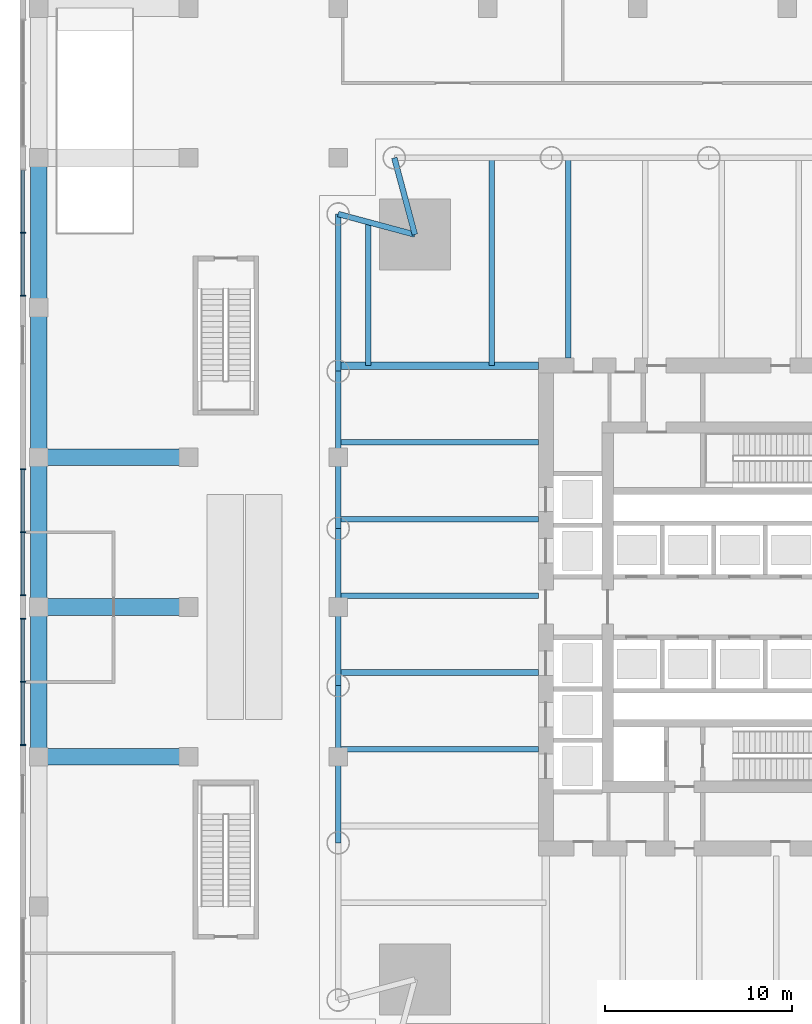
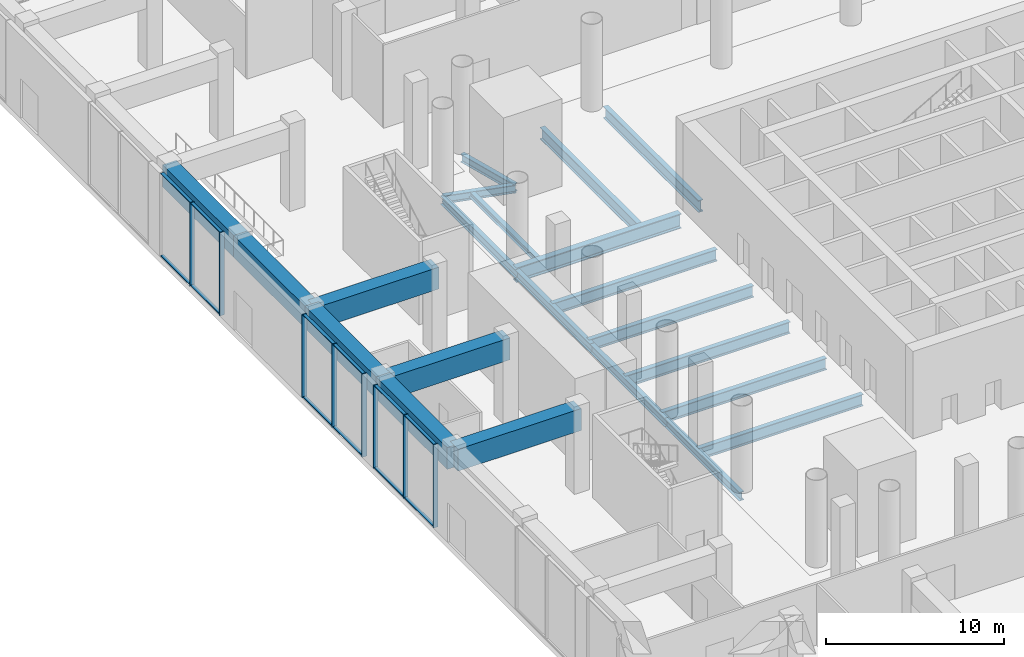
# One storey, part 7 of 39: 22 beams, 20 members, 3 elements without a shape of their own.
"""IFC4 building model written with IfcOpenShell, lengths in metres."""

from ifc_helpers import new_model, si_unit, direction, frame, origin, origin_2d, place, context, subcontext, project, spatial, rectangle, i_section, extrude, material, material_profile, profile_set, type_object, element, aggregate, save


model = new_model("IFC4")

# Units and contexts
model_context = context("Model", 3, precision=1e-05, world=origin(), true_north=direction((0.0, 1.0)))
body_context = subcontext(model_context, "Body", "Model", "MODEL_VIEW")
ifc_project = project(units=[si_unit("LENGTHUNIT", "METRE"), si_unit("AREAUNIT", "SQUARE_METRE"), si_unit("VOLUMEUNIT", "CUBIC_METRE"), si_unit("PLANEANGLEUNIT", "RADIAN"), si_unit("MASSUNIT", "GRAM", prefix="KILO")], contexts=[model_context])

# Site, building, storey
site_placement = place(None, origin())
site = spatial("IfcSite", under=ifc_project, at=site_placement, CompositionType="ELEMENT")
building_placement = place(site_placement, origin())
building = spatial("IfcBuilding", under=site, at=building_placement, Name="Ostroluk Exchange", CompositionType="ELEMENT")
storey_placement = place(building_placement, origin())
storey = spatial("IfcBuildingStorey", under=building, at=storey_placement, Name="L00", CompositionType="ELEMENT", Elevation=0.0)

# Beams
ifc_material_1 = material(Name="Steel S355", Category="steel")
ifc_material_profile_1 = material_profile(ifc_material_1, i_section(OverallWidth=0.300048828125, OverallDepth=0.550048828125, WebThickness=0.014892578125, FlangeThickness=0.029052734375, FilletRadius=0.027099609375, at=origin_2d()), Name="HEB 550")
ifc_profile_set_1 = profile_set([ifc_material_profile_1], Name="Steel S355")
beam_type_1 = type_object("IfcBeamType", Name="Corner edge beam HEB 550", PredefinedType="SPANDREL", material=ifc_profile_set_1)
for number, where, z_axis, x_axis, name in (
    (1, (25.10009765625, 65.89990234375, -0.574951171875), (-0.259144268261, 0.965838624319, 0.0), (-0.965838624319, -0.259144268261, 0.0), "T1 north corner edge beam a"),
    (2, (25.10009765625, 65.89990234375, -0.574951171875), (-0.965838624319, 0.259144268261, 0.0), (-0.259144268261, -0.965838624319, 0.0), "T1 north corner edge beam b"),
):
    element("IfcBeam", number, at=place(storey_placement, frame(where, z_axis=z_axis, x_axis=x_axis)), inside=storey, type_object=beam_type_1, Name=name, PredefinedType="SPANDREL", context=body_context, shape_type="SweptSolid", body=[
        extrude(i_section(OverallWidth=0.300048828125, OverallDepth=0.550048828125, WebThickness=0.014892578125, FlangeThickness=0.029052734375, FilletRadius=0.027099609375, at=origin_2d()), origin(), (0.0, 0.0, 1.0), 4.2451171875),
    ])
ifc_material_2 = material(Name="Steel S355", Category="steel")
ifc_material_profile_2 = material_profile(ifc_material_2, i_section(OverallWidth=0.300048828125, OverallDepth=0.39990234375, WebThickness=0.013427734375, FlangeThickness=0.02392578125, FilletRadius=0.027099609375, at=origin_2d()), Name="HEB 400")
ifc_profile_set_2 = profile_set([ifc_material_profile_2], Name="Steel S355")
beam_type_2 = type_object("IfcBeamType", Name="Floor beam HEB 400", PredefinedType="BEAM", material=ifc_profile_set_2)
beam_1_placement = place(storey_placement, frame((22.60009765625, 58.89990234375, -0.5), z_axis=(0.0, 1.0, 0.0), x_axis=(-1.0, 0.0, 0.0)))
element("IfcBeam", 3, at=beam_1_placement, inside=storey, type_object=beam_type_2, Name="T1 north floor beam 8", PredefinedType="BEAM", context=body_context, shape_type="SweptSolid", body=[
    extrude(i_section(OverallWidth=0.300048828125, OverallDepth=0.39990234375, WebThickness=0.013427734375, FlangeThickness=0.02392578125, FilletRadius=0.027099609375, at=origin_2d()), origin(), (0.0, 0.0, 1.0), 7.6708984375),
])
ifc_material_3 = material(Name="Steel S355", Category="steel")
ifc_material_profile_3 = material_profile(ifc_material_3, i_section(OverallWidth=0.300048828125, OverallDepth=0.800048828125, WebThickness=0.017578125, FlangeThickness=0.032958984375, FilletRadius=0.030029296875, at=origin_2d()), Name="HEB 800")
ifc_profile_set_3 = profile_set([ifc_material_profile_3], Name="Steel S355")
beam_type_3 = type_object("IfcBeamType", Name="Floor beam HEB 800", PredefinedType="BEAM", material=ifc_profile_set_3)
for number, where, z_axis, x_axis, name in (
    (4, (31.699951171875, 54.800048828125, -0.699951171875), (-1.0, 0.0, 0.0), (0.0, -1.0, 0.0), "T1 west floor beam 1"),
    (5, (31.699951171875, 50.699951171875, -0.699951171875), (-1.0, 0.0, 0.0), (0.0, -1.0, 0.0), "T1 west floor beam 2"),
    (6, (31.699951171875, 46.60009765625, -0.699951171875), (-1.0, 0.0, 0.0), (0.0, -1.0, 0.0), "T1 west floor beam 3"),
    (7, (31.699951171875, 42.5, -0.699951171875), (-1.0, 0.0, 0.0), (0.0, -1.0, 0.0), "T1 west floor beam 4"),
    (8, (31.699951171875, 38.39990234375, -0.699951171875), (-1.0, 0.0, 0.0), (0.0, -1.0, 0.0), "T1 west floor beam 5"),
):
    element("IfcBeam", number, at=place(storey_placement, frame(where, z_axis=z_axis, x_axis=x_axis)), inside=storey, type_object=beam_type_3, Name=name, PredefinedType="BEAM", context=body_context, shape_type="SweptSolid", body=[
        extrude(i_section(OverallWidth=0.300048828125, OverallDepth=0.800048828125, WebThickness=0.017578125, FlangeThickness=0.032958984375, FilletRadius=0.030029296875, at=origin_2d()), origin(), (0.0, 0.0, 1.0), 10.699951171875),
    ])
ifc_material_4 = material(Name="Steel S355", Category="steel")
ifc_material_profile_4 = material_profile(ifc_material_4, i_section(OverallWidth=0.302978515625, OverallDepth=0.81396484375, WebThickness=0.02099609375, FlangeThickness=0.0400390625, FilletRadius=0.030029296875, at=origin_2d()), Name="HEM 800")
ifc_profile_set_4 = profile_set([ifc_material_profile_4], Name="Steel S355")
beam_type_4 = type_object("IfcBeamType", Name="Floor beam HEM 800", PredefinedType="BEAM", material=ifc_profile_set_4)
beam_2_placement = place(storey_placement, frame((33.300048828125, 59.300048828125, -0.70703125), z_axis=(0.0, 1.0, 0.0), x_axis=(-1.0, 0.0, 0.0)))
element("IfcBeam", 9, at=beam_2_placement, inside=storey, type_object=beam_type_4, Name="T1 north floor beam 6", PredefinedType="BEAM", context=body_context, shape_type="SweptSolid", body=[
    extrude(i_section(OverallWidth=0.302978515625, OverallDepth=0.81396484375, WebThickness=0.02099609375, FlangeThickness=0.0400390625, FilletRadius=0.030029296875, at=origin_2d()), origin(), (0.0, 0.0, 1.0), 10.699951171875),
])
beam_3_placement = place(storey_placement, frame((29.199951171875, 58.89990234375, -0.70703125), z_axis=(0.0, 1.0, 0.0), x_axis=(-1.0, 0.0, 0.0)))
element("IfcBeam", 10, at=beam_3_placement, inside=storey, type_object=beam_type_4, Name="T1 north floor beam 7", PredefinedType="BEAM", context=body_context, shape_type="SweptSolid", body=[
    extrude(i_section(OverallWidth=0.302978515625, OverallDepth=0.81396484375, WebThickness=0.02099609375, FlangeThickness=0.0400390625, FilletRadius=0.030029296875, at=origin_2d()), origin(), (0.0, 0.0, 1.0), 11.10009765625),
])
ifc_material_5 = material(Name="Steel S355", Category="steel")
ifc_material_profile_5 = material_profile(ifc_material_5, i_section(OverallWidth=0.402099609375, OverallDepth=1.011962890625, WebThickness=0.035888671875, FlangeThickness=0.055908203125, FilletRadius=0.030029296875, at=origin_2d()), Name="HL 1000x443")
ifc_profile_set_5 = profile_set([ifc_material_profile_5], Name="Steel S355")
beam_type_5 = type_object("IfcBeamType", Name="Girder HL 1000x443", PredefinedType="BEAM", material=ifc_profile_set_5)
beam_4_placement = place(storey_placement, frame((31.699951171875, 58.89990234375, -0.805908203125), z_axis=(-1.0, 0.0, 0.0), x_axis=(0.0, -1.0, 0.0)))
element("IfcBeam", 11, at=beam_4_placement, inside=storey, type_object=beam_type_5, Name="T1 north girder", PredefinedType="BEAM", context=body_context, shape_type="SweptSolid", body=[
    extrude(i_section(OverallWidth=0.402099609375, OverallDepth=1.011962890625, WebThickness=0.035888671875, FlangeThickness=0.055908203125, FilletRadius=0.030029296875, at=origin_2d()), origin(), (0.0, 0.0, 1.0), 10.699951171875),
])
ifc_material_6 = material(Name="Steel S355", Category="steel")
ifc_material_profile_6 = material_profile(ifc_material_6, i_section(OverallWidth=0.300048828125, OverallDepth=0.60009765625, WebThickness=0.015380859375, FlangeThickness=0.030029296875, FilletRadius=0.027099609375, at=origin_2d()), Name="HEB 600")
ifc_profile_set_6 = profile_set([ifc_material_profile_6], Name="Steel S355")
beam_type_6 = type_object("IfcBeamType", Name="Moment-connected edge beam HEB 600", PredefinedType="SPANDREL", material=ifc_profile_set_6)
beam_5_placement = place(storey_placement, frame((21.0, 67.0, -0.60009765625), z_axis=(0.0, -1.0, 0.0), x_axis=(1.0, 0.0, 0.0)))
element("IfcBeam", 12, at=beam_5_placement, inside=storey, type_object=beam_type_6, Name="T1 west edge beam 1", PredefinedType="SPANDREL", context=body_context, shape_type="SweptSolid", body=[
    extrude(i_section(OverallWidth=0.300048828125, OverallDepth=0.60009765625, WebThickness=0.015380859375, FlangeThickness=0.030029296875, FilletRadius=0.027099609375, at=origin_2d()), origin(), (0.0, 0.0, 1.0), 8.39990234375),
])
beam_6_placement = place(storey_placement, frame((21.0, 58.60009765625, -0.60009765625), z_axis=(0.0, -1.0, 0.0), x_axis=(1.0, 0.0, 0.0)))
element("IfcBeam", 13, at=beam_6_placement, inside=storey, type_object=beam_type_6, Name="T1 west edge beam 2", PredefinedType="SPANDREL", context=body_context, shape_type="SweptSolid", body=[
    extrude(i_section(OverallWidth=0.300048828125, OverallDepth=0.60009765625, WebThickness=0.015380859375, FlangeThickness=0.030029296875, FilletRadius=0.027099609375, at=origin_2d()), origin(), (0.0, 0.0, 1.0), 8.400146484375),
])
beam_7_placement = place(storey_placement, frame((21.0, 50.199951171875, -0.60009765625), z_axis=(0.0, -1.0, 0.0), x_axis=(1.0, 0.0, 0.0)))
element("IfcBeam", 14, at=beam_7_placement, inside=storey, type_object=beam_type_6, Name="T1 west edge beam 3", PredefinedType="SPANDREL", context=body_context, shape_type="SweptSolid", body=[
    extrude(i_section(OverallWidth=0.300048828125, OverallDepth=0.60009765625, WebThickness=0.015380859375, FlangeThickness=0.030029296875, FilletRadius=0.027099609375, at=origin_2d()), origin(), (0.0, 0.0, 1.0), 8.39990234375),
])
beam_8_placement = place(storey_placement, frame((21.0, 41.800048828125, -0.60009765625), z_axis=(0.0, -1.0, 0.0), x_axis=(1.0, 0.0, 0.0)))
element("IfcBeam", 15, at=beam_8_placement, inside=storey, type_object=beam_type_6, Name="T1 west edge beam 4", PredefinedType="SPANDREL", context=body_context, shape_type="SweptSolid", body=[
    extrude(i_section(OverallWidth=0.300048828125, OverallDepth=0.60009765625, WebThickness=0.015380859375, FlangeThickness=0.030029296875, FilletRadius=0.027099609375, at=origin_2d()), origin(), (0.0, 0.0, 1.0), 8.400146484375),
])
ifc_material_7 = material(Name="Concrete C50/60", Category="concrete")
ifc_material_profile_7 = material_profile(ifc_material_7, rectangle(XDim=0.89990234375, YDim=1.5, at=origin_2d()), Name="RC 900x1500")
ifc_profile_set_7 = profile_set([ifc_material_profile_7], Name="Concrete C50/60")
beam_type_7 = type_object("IfcBeamType", Name="Podium edge beam RC 900x1500", PredefinedType="BEAM", material=ifc_profile_set_7)
for number, where, z_axis, x_axis, name in (
    (16, (5.0, 38.0, 4.949951171875), (1.0, 0.0, 0.0), (0.0, 1.0, 0.0), "Terrace beam L01 west W 38"),
    (17, (5.0, 46.0, 4.949951171875), (1.0, 0.0, 0.0), (0.0, 1.0, 0.0), "Terrace beam L01 west W 46"),
    (18, (5.0, 54.0, 4.949951171875), (1.0, 0.0, 0.0), (0.0, 1.0, 0.0), "Terrace beam L01 west W 54"),
    (19, (5.0, 38.0, 4.949951171875), (0.0, 1.0, 0.0), (-1.0, 0.0, 0.0), "Terrace bay beam L01 X5-38"),
    (20, (5.0, 46.0, 4.949951171875), (0.0, 1.0, 0.0), (-1.0, 0.0, 0.0), "Terrace bay beam L01 X5-46"),
    (21, (5.0, 54.0, 4.949951171875), (0.0, 1.0, 0.0), (-1.0, 0.0, 0.0), "Terrace bay beam L01 X5-54"),
    (22, (5.0, 62.0, 4.949951171875), (0.0, 1.0, 0.0), (-1.0, 0.0, 0.0), "Terrace bay beam L01 X5-62"),
):
    element("IfcBeam", number, at=place(storey_placement, frame(where, z_axis=z_axis, x_axis=x_axis)), inside=storey, type_object=beam_type_7, Name=name, PredefinedType="BEAM", context=body_context, shape_type="SweptSolid", body=[
        extrude(rectangle(XDim=0.89990234375, YDim=1.5, at=origin_2d()), origin(), (0.0, 0.0, 1.0), 8.0),
    ])

# Curtain wall, members
ifc_material_8 = material(Name="Laminated clear glass", Category="glass")
curtain_wall_type = type_object("IfcCurtainWallType", Name="Podium shopfront", PredefinedType="USERDEFINED", material=ifc_material_8)
curtain_wall_1_placement = place(storey_placement, origin())
curtain_wall_1 = element("IfcCurtainWall", 23, at=curtain_wall_1_placement, inside=storey, type_object=curtain_wall_type, Name="Podium west W shopfront 3", ObjectType="STICK SHOPFRONT", PredefinedType="USERDEFINED")
ifc_material_9 = material(Name="Aluminium mullion", Category="aluminium")
ifc_material_profile_8 = material_profile(ifc_material_9, rectangle(XDim=0.300048828125, YDim=0.06005859375, at=origin_2d()), Name="Shopfront mullion 60 x 300")
ifc_profile_set_8 = profile_set([ifc_material_profile_8], Name="Aluminium mullion")
member_type_1 = type_object("IfcMemberType", Name="Shopfront mullion 60 x 300", PredefinedType="MULLION", material=ifc_profile_set_8)
member_1_placement = place(storey_placement, frame((4.14990234375, 66.0, 0.0), z_axis=(0.0, 0.0, 1.0), x_axis=(1.0, 0.0, 0.0)))
member_1 = element("IfcMember", 24, at=member_1_placement, type_object=member_type_1, Name="CW-SF1 mullion 2", PredefinedType="MULLION", context=body_context, shape_type="SweptSolid", body=[
    extrude(rectangle(XDim=0.300048828125, YDim=0.06005859375, at=origin_2d()), origin(), (0.0, 0.0, 1.0), 5.699951171875),
])
member_2_placement = place(storey_placement, frame((4.14990234375, 62.6298828125, 0.0), z_axis=(0.0, 0.0, 1.0), x_axis=(1.0, 0.0, 0.0)))
member_2 = element("IfcMember", 25, at=member_2_placement, type_object=member_type_1, Name="CW-SF1 mullion 3", PredefinedType="MULLION", context=body_context, shape_type="SweptSolid", body=[
    extrude(rectangle(XDim=0.300048828125, YDim=0.06005859375, at=origin_2d()), origin(), (0.0, 0.0, 1.0), 5.699951171875),
])

curtain_wall_2_placement = place(storey_placement, origin())
curtain_wall_2 = element("IfcCurtainWall", 26, at=curtain_wall_2_placement, inside=storey, type_object=curtain_wall_type, Name="Podium west W shopfront 4", ObjectType="STICK SHOPFRONT", PredefinedType="USERDEFINED")
member_3_placement = place(storey_placement, frame((4.14990234375, 53.3701171875, 0.0), z_axis=(0.0, 0.0, 1.0), x_axis=(1.0, 0.0, 0.0)))
member_3 = element("IfcMember", 27, at=member_3_placement, type_object=member_type_1, Name="CW-SF1 mullion 1", PredefinedType="MULLION", context=body_context, shape_type="SweptSolid", body=[
    extrude(rectangle(XDim=0.300048828125, YDim=0.06005859375, at=origin_2d()), origin(), (0.0, 0.0, 1.0), 5.699951171875),
])
member_4_placement = place(storey_placement, frame((4.14990234375, 50.0, 0.0), z_axis=(0.0, 0.0, 1.0), x_axis=(1.0, 0.0, 0.0)))
member_4 = element("IfcMember", 28, at=member_4_placement, type_object=member_type_1, Name="CW-SF1 mullion 2", PredefinedType="MULLION", context=body_context, shape_type="SweptSolid", body=[
    extrude(rectangle(XDim=0.300048828125, YDim=0.06005859375, at=origin_2d()), origin(), (0.0, 0.0, 1.0), 5.699951171875),
])
member_5_placement = place(storey_placement, frame((4.14990234375, 46.6298828125, 0.0), z_axis=(0.0, 0.0, 1.0), x_axis=(1.0, 0.0, 0.0)))
member_5 = element("IfcMember", 29, at=member_5_placement, type_object=member_type_1, Name="CW-SF1 mullion 3", PredefinedType="MULLION", context=body_context, shape_type="SweptSolid", body=[
    extrude(rectangle(XDim=0.300048828125, YDim=0.06005859375, at=origin_2d()), origin(), (0.0, 0.0, 1.0), 5.699951171875),
])

curtain_wall_3_placement = place(storey_placement, origin())
curtain_wall_3 = element("IfcCurtainWall", 30, at=curtain_wall_3_placement, inside=storey, type_object=curtain_wall_type, Name="Podium west W shopfront 5", ObjectType="STICK SHOPFRONT", PredefinedType="USERDEFINED")
member_6_placement = place(storey_placement, frame((4.14990234375, 45.3701171875, 0.0), z_axis=(0.0, 0.0, 1.0), x_axis=(1.0, 0.0, 0.0)))
member_6 = element("IfcMember", 31, at=member_6_placement, type_object=member_type_1, Name="CW-SF1 mullion 1", PredefinedType="MULLION", context=body_context, shape_type="SweptSolid", body=[
    extrude(rectangle(XDim=0.300048828125, YDim=0.06005859375, at=origin_2d()), origin(), (0.0, 0.0, 1.0), 5.699951171875),
])
member_7_placement = place(storey_placement, frame((4.14990234375, 42.0, 0.0), z_axis=(0.0, 0.0, 1.0), x_axis=(1.0, 0.0, 0.0)))
member_7 = element("IfcMember", 32, at=member_7_placement, type_object=member_type_1, Name="CW-SF1 mullion 2", PredefinedType="MULLION", context=body_context, shape_type="SweptSolid", body=[
    extrude(rectangle(XDim=0.300048828125, YDim=0.06005859375, at=origin_2d()), origin(), (0.0, 0.0, 1.0), 5.699951171875),
])
member_8_placement = place(storey_placement, frame((4.14990234375, 38.6298828125, 0.0), z_axis=(0.0, 0.0, 1.0), x_axis=(1.0, 0.0, 0.0)))
member_8 = element("IfcMember", 33, at=member_8_placement, type_object=member_type_1, Name="CW-SF1 mullion 3", PredefinedType="MULLION", context=body_context, shape_type="SweptSolid", body=[
    extrude(rectangle(XDim=0.300048828125, YDim=0.06005859375, at=origin_2d()), origin(), (0.0, 0.0, 1.0), 5.699951171875),
])

# Member
ifc_material_10 = material(Name="Aluminium mullion", Category="aluminium")
ifc_material_profile_9 = material_profile(ifc_material_10, rectangle(XDim=0.199951171875, YDim=0.06005859375, at=origin_2d()), Name="Shopfront transom 60 x 200")
ifc_profile_set_9 = profile_set([ifc_material_profile_9], Name="Aluminium mullion")
member_type_2 = type_object("IfcMemberType", Name="Shopfront transom 60 x 200", PredefinedType="USERDEFINED", material=ifc_profile_set_9)
member_9_placement = place(storey_placement, frame((4.14990234375, 69.340087890625, 0.030029296875), z_axis=(0.0, -1.0, 0.0), x_axis=(1.0, 0.0, 0.0)))
member_9 = element("IfcMember", 34, at=member_9_placement, type_object=member_type_2, Name="CW-SF1 transom 1.1", ObjectType="TRANSOM", PredefinedType="USERDEFINED", context=body_context, shape_type="SweptSolid", body=[
    extrude(rectangle(XDim=0.199951171875, YDim=0.06005859375, at=origin_2d()), origin(), (0.0, 0.0, 1.0), 3.31005859375),
])

member_10_placement = place(storey_placement, frame((4.14990234375, 69.340087890625, 5.669921875), z_axis=(0.0, -1.0, 0.0), x_axis=(1.0, 0.0, 0.0)))
member_10 = element("IfcMember", 35, at=member_10_placement, type_object=member_type_2, Name="CW-SF1 transom 1.2", ObjectType="TRANSOM", PredefinedType="USERDEFINED", context=body_context, shape_type="SweptSolid", body=[
    extrude(rectangle(XDim=0.199951171875, YDim=0.06005859375, at=origin_2d()), origin(), (0.0, 0.0, 1.0), 3.31005859375),
])

member_11_placement = place(storey_placement, frame((4.14990234375, 65.969970703125, 0.030029296875), z_axis=(0.0, -1.0, 0.0), x_axis=(1.0, 0.0, 0.0)))
member_11 = element("IfcMember", 36, at=member_11_placement, type_object=member_type_2, Name="CW-SF1 transom 2.1", ObjectType="TRANSOM", PredefinedType="USERDEFINED", context=body_context, shape_type="SweptSolid", body=[
    extrude(rectangle(XDim=0.199951171875, YDim=0.06005859375, at=origin_2d()), origin(), (0.0, 0.0, 1.0), 3.31005859375),
])

member_12_placement = place(storey_placement, frame((4.14990234375, 65.969970703125, 5.669921875), z_axis=(0.0, -1.0, 0.0), x_axis=(1.0, 0.0, 0.0)))
member_12 = element("IfcMember", 37, at=member_12_placement, type_object=member_type_2, Name="CW-SF1 transom 2.2", ObjectType="TRANSOM", PredefinedType="USERDEFINED", context=body_context, shape_type="SweptSolid", body=[
    extrude(rectangle(XDim=0.199951171875, YDim=0.06005859375, at=origin_2d()), origin(), (0.0, 0.0, 1.0), 3.31005859375),
])

aggregate(curtain_wall_1, [member_1, member_2, member_9, member_10, member_11, member_12])

member_13_placement = place(storey_placement, frame((4.14990234375, 53.340087890625, 0.030029296875), z_axis=(0.0, -1.0, 0.0), x_axis=(1.0, 0.0, 0.0)))
member_13 = element("IfcMember", 38, at=member_13_placement, type_object=member_type_2, Name="CW-SF1 transom 1.1", ObjectType="TRANSOM", PredefinedType="USERDEFINED", context=body_context, shape_type="SweptSolid", body=[
    extrude(rectangle(XDim=0.199951171875, YDim=0.06005859375, at=origin_2d()), origin(), (0.0, 0.0, 1.0), 3.31005859375),
])

member_14_placement = place(storey_placement, frame((4.14990234375, 53.340087890625, 5.669921875), z_axis=(0.0, -1.0, 0.0), x_axis=(1.0, 0.0, 0.0)))
member_14 = element("IfcMember", 39, at=member_14_placement, type_object=member_type_2, Name="CW-SF1 transom 1.2", ObjectType="TRANSOM", PredefinedType="USERDEFINED", context=body_context, shape_type="SweptSolid", body=[
    extrude(rectangle(XDim=0.199951171875, YDim=0.06005859375, at=origin_2d()), origin(), (0.0, 0.0, 1.0), 3.31005859375),
])

member_15_placement = place(storey_placement, frame((4.14990234375, 49.969970703125, 0.030029296875), z_axis=(0.0, -1.0, 0.0), x_axis=(1.0, 0.0, 0.0)))
member_15 = element("IfcMember", 40, at=member_15_placement, type_object=member_type_2, Name="CW-SF1 transom 2.1", ObjectType="TRANSOM", PredefinedType="USERDEFINED", context=body_context, shape_type="SweptSolid", body=[
    extrude(rectangle(XDim=0.199951171875, YDim=0.06005859375, at=origin_2d()), origin(), (0.0, 0.0, 1.0), 3.31005859375),
])

member_16_placement = place(storey_placement, frame((4.14990234375, 49.969970703125, 5.669921875), z_axis=(0.0, -1.0, 0.0), x_axis=(1.0, 0.0, 0.0)))
member_16 = element("IfcMember", 41, at=member_16_placement, type_object=member_type_2, Name="CW-SF1 transom 2.2", ObjectType="TRANSOM", PredefinedType="USERDEFINED", context=body_context, shape_type="SweptSolid", body=[
    extrude(rectangle(XDim=0.199951171875, YDim=0.06005859375, at=origin_2d()), origin(), (0.0, 0.0, 1.0), 3.31005859375),
])

aggregate(curtain_wall_2, [member_3, member_4, member_5, member_13, member_14, member_15, member_16])

member_17_placement = place(storey_placement, frame((4.14990234375, 45.340087890625, 0.030029296875), z_axis=(0.0, -1.0, 0.0), x_axis=(1.0, 0.0, 0.0)))
member_17 = element("IfcMember", 42, at=member_17_placement, type_object=member_type_2, Name="CW-SF1 transom 1.1", ObjectType="TRANSOM", PredefinedType="USERDEFINED", context=body_context, shape_type="SweptSolid", body=[
    extrude(rectangle(XDim=0.199951171875, YDim=0.06005859375, at=origin_2d()), origin(), (0.0, 0.0, 1.0), 3.31005859375),
])

member_18_placement = place(storey_placement, frame((4.14990234375, 45.340087890625, 5.669921875), z_axis=(0.0, -1.0, 0.0), x_axis=(1.0, 0.0, 0.0)))
member_18 = element("IfcMember", 43, at=member_18_placement, type_object=member_type_2, Name="CW-SF1 transom 1.2", ObjectType="TRANSOM", PredefinedType="USERDEFINED", context=body_context, shape_type="SweptSolid", body=[
    extrude(rectangle(XDim=0.199951171875, YDim=0.06005859375, at=origin_2d()), origin(), (0.0, 0.0, 1.0), 3.31005859375),
])

member_19_placement = place(storey_placement, frame((4.14990234375, 41.969970703125, 0.030029296875), z_axis=(0.0, -1.0, 0.0), x_axis=(1.0, 0.0, 0.0)))
member_19 = element("IfcMember", 44, at=member_19_placement, type_object=member_type_2, Name="CW-SF1 transom 2.1", ObjectType="TRANSOM", PredefinedType="USERDEFINED", context=body_context, shape_type="SweptSolid", body=[
    extrude(rectangle(XDim=0.199951171875, YDim=0.06005859375, at=origin_2d()), origin(), (0.0, 0.0, 1.0), 3.31005859375),
])

member_20_placement = place(storey_placement, frame((4.14990234375, 41.969970703125, 5.669921875), z_axis=(0.0, -1.0, 0.0), x_axis=(1.0, 0.0, 0.0)))
member_20 = element("IfcMember", 45, at=member_20_placement, type_object=member_type_2, Name="CW-SF1 transom 2.2", ObjectType="TRANSOM", PredefinedType="USERDEFINED", context=body_context, shape_type="SweptSolid", body=[
    extrude(rectangle(XDim=0.199951171875, YDim=0.06005859375, at=origin_2d()), origin(), (0.0, 0.0, 1.0), 3.31005859375),
])

aggregate(curtain_wall_3, [member_6, member_7, member_8, member_17, member_18, member_19, member_20])

save(model, "model.ifc")
